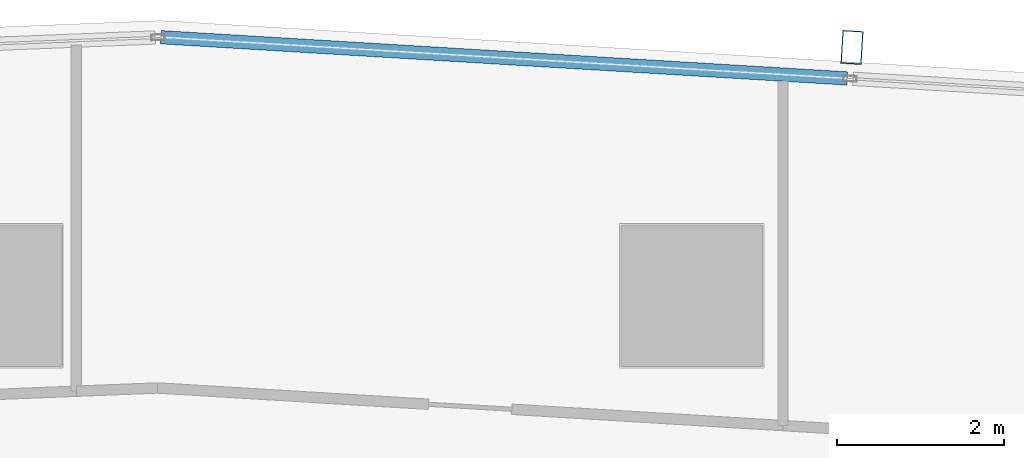
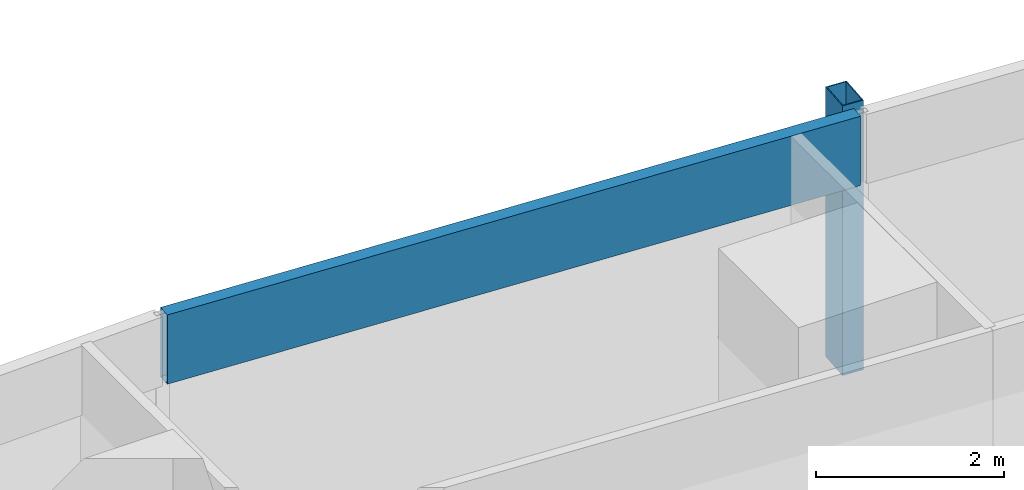
# One storey, part 22 of 40: 2 members, 1 element without a shape of its own.
"""IFC4 building model written with IfcOpenShell, lengths in metres."""

from ifc_helpers import new_model, si_unit, direction, frame, origin, origin_2d, place, context, subcontext, project, spatial, hollow_rectangle, extrude, material, material_profile, profile_set, type_object, element, aggregate, save


model = new_model("IFC4")

# Units and contexts
model_context = context("Model", 3, precision=1e-05, world=origin(), true_north=direction((0.0, 1.0)))
body_context = subcontext(model_context, "Body", "Model", "MODEL_VIEW")
ifc_project = project(units=[si_unit("LENGTHUNIT", "METRE"), si_unit("AREAUNIT", "SQUARE_METRE"), si_unit("VOLUMEUNIT", "CUBIC_METRE"), si_unit("PLANEANGLEUNIT", "RADIAN"), si_unit("MASSUNIT", "GRAM", prefix="KILO")], contexts=[model_context])

# Site, building, storey
site_placement = place(None, origin())
site = spatial("IfcSite", under=ifc_project, at=site_placement, CompositionType="ELEMENT")
building_placement = place(site_placement, origin())
building = spatial("IfcBuilding", under=site, at=building_placement, Name="Rekha Terrace Tower", CompositionType="ELEMENT")
storey_placement = place(building_placement, frame((0.0, 0.0, 125.300048828125)))
storey = spatial("IfcBuildingStorey", under=building, at=storey_placement, Name="L31", CompositionType="ELEMENT", Elevation=125.300048828125)

# Curtain wall, members
ifc_material_1 = material(Name="Aluminium framing", Category="aluminium")
curtain_wall_type = type_object("IfcCurtainWallType", Name="CW3 north unitised glazing", PredefinedType="USERDEFINED", material=ifc_material_1)
curtain_wall_placement = place(storey_placement, origin())
curtain_wall = element("IfcCurtainWall", 1, at=curtain_wall_placement, inside=storey, type_object=curtain_wall_type, Name="CW3 unitised curtain wall", ObjectType="UNITISED CURTAIN WALL", PredefinedType="USERDEFINED")
ifc_material_2 = material(Name="Steel S355 with fluorocarbon finish", Category="steel")
ifc_material_profile_1 = material_profile(ifc_material_2, hollow_rectangle(XDim=0.25, YDim=0.39990234375, WallThickness=0.012451171875, at=origin_2d()), Name="RHS400x250x12.5")
ifc_profile_set_1 = profile_set([ifc_material_profile_1], Name="Steel S355 with fluorocarbon finish")
member_type_1 = type_object("IfcMemberType", Name="BL1 facade blade RHS 400 x 250", PredefinedType="USERDEFINED", material=ifc_profile_set_1)
member_1_placement = place(storey_placement, frame((52.322265625, 61.777587890625, 0.0), z_axis=(0.0, 0.0, 1.0), x_axis=(-0.998199123409, 0.059987582268, 0.0)))
member_1 = element("IfcMember", 2, at=member_1_placement, type_object=member_type_1, Name="Facade blade", ObjectType="FACADE BLADE", PredefinedType="USERDEFINED", context=body_context, shape_type="SweptSolid", body=[
    extrude(hollow_rectangle(XDim=0.25, YDim=0.39990234375, WallThickness=0.012451171875, at=origin_2d()), origin(), (0.0, 0.0, 1.0), 3.5),
])
ifc_material_3 = material(Name="Insulated aluminium spandrel box", Category="aluminium")
ifc_material_profile_2 = material_profile(ifc_material_3, hollow_rectangle(XDim=0.159912109375, YDim=0.89990234375, WallThickness=0.0029296875, at=origin_2d()), Name="AL SPANDREL BOX 160x900")
ifc_profile_set_2 = profile_set([ifc_material_profile_2], Name="Insulated aluminium spandrel box")
member_type_2 = type_object("IfcMemberType", Name="CW3 spandrel transom 160 x 900", PredefinedType="USERDEFINED", material=ifc_profile_set_2)
member_2_placement = place(storey_placement, frame((52.2646484375, 61.4052734375, 3.050048828125), z_axis=(-0.998199102701, 0.059987926845, 0.0), x_axis=(-0.059987926845, -0.998199102701, 0.0)))
member_2 = element("IfcMember", 3, at=member_2_placement, type_object=member_type_2, Name="CW3 spandrel transom 3", ObjectType="TRANSOM", PredefinedType="USERDEFINED", context=body_context, shape_type="SweptSolid", body=[
    extrude(hollow_rectangle(XDim=0.159912109375, YDim=0.89990234375, WallThickness=0.0029296875, at=origin_2d()), origin(), (0.0, 0.0, 1.0), 8.241455078125),
])
aggregate(curtain_wall, [member_2, member_1])

save(model, "model.ifc")
